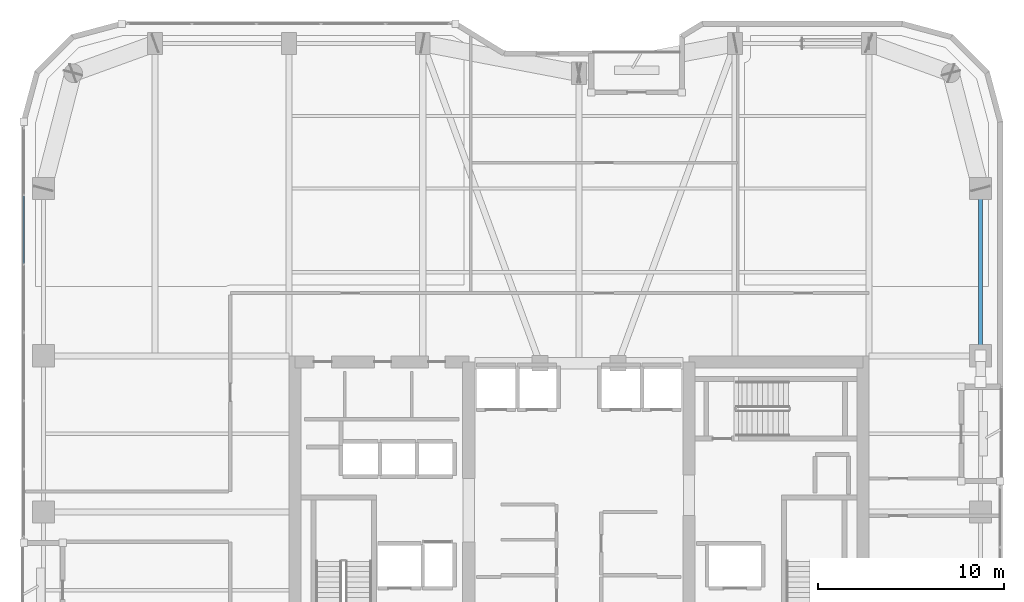
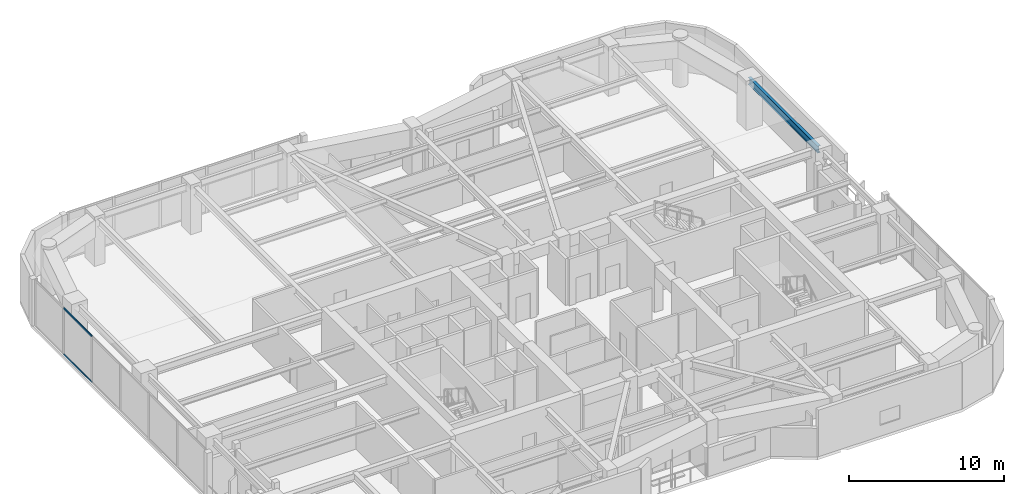
# One storey, part 12 of 30: 2 members, 1 beam, 1 element without a shape of its own.
"""IFC4 building model written with IfcOpenShell, lengths in metres."""

from ifc_helpers import new_model, si_unit, direction, frame, origin, origin_2d, place, context, subcontext, project, spatial, hollow_rectangle, i_section, extrude, material, layer, layer_set, material_profile, profile_set, type_object, element, aggregate, save


model = new_model("IFC4")

# Units and contexts
model_context = context("Model", 3, precision=1e-05, world=origin(), true_north=direction((0.0, 1.0)))
body_context = subcontext(model_context, "Body", "Model", "MODEL_VIEW")
ifc_project = project(units=[si_unit("LENGTHUNIT", "METRE"), si_unit("AREAUNIT", "SQUARE_METRE"), si_unit("VOLUMEUNIT", "CUBIC_METRE"), si_unit("PLANEANGLEUNIT", "RADIAN"), si_unit("MASSUNIT", "GRAM", prefix="KILO")], contexts=[model_context])

# Site, building, storey
site_placement = place(None, origin())
site = spatial("IfcSite", under=ifc_project, at=site_placement, CompositionType="ELEMENT")
building_placement = place(site_placement, origin())
building = spatial("IfcBuilding", under=site, at=building_placement, Name="Kiyonajd Concourse Tower", CompositionType="ELEMENT")
storey_placement = place(building_placement, frame((0.0, 0.0, 190.199951171875)))
storey = spatial("IfcBuildingStorey", under=building, at=storey_placement, Name="L48", CompositionType="ELEMENT", Elevation=190.199951171875)

# Beam
ifc_material_1 = material(Name="Steel ASTM A992 Grade 50", Category="steel")
ifc_material_profile_1 = material_profile(ifc_material_1, i_section(OverallWidth=0.214111328125, OverallDepth=0.549072265625, WebThickness=0.0146484375, FlangeThickness=0.023681640625, at=origin_2d()), Name="W530X138")
ifc_profile_set_1 = profile_set([ifc_material_profile_1], Name="Steel ASTM A992 Grade 50")
beam_type = type_object("IfcBeamType", Name="BM-SPAN-530A", PredefinedType="SPANDREL", material=ifc_profile_set_1)
beam_placement = place(storey_placement, frame((69.60009765625, 44.39990234375, 3.405517578125), z_axis=(0.0, 1.0, 0.0), x_axis=(-1.0, 0.0, 0.0)))
element("IfcBeam", 1, at=beam_placement, inside=storey, type_object=beam_type, Name="L48 Perimeter Bundled Tube Spandrel", PredefinedType="SPANDREL", context=body_context, shape_type="SweptSolid", body=[
    extrude(i_section(OverallWidth=0.214111328125, OverallDepth=0.549072265625, WebThickness=0.0146484375, FlangeThickness=0.023681640625, at=origin_2d()), origin(), (0.0, 0.0, 1.0), 9.0),
])

# Curtain wall, members
ifc_material_2 = material(Name="Thermally Broken Anodised Aluminium", Category="aluminium")
ifc_layer = layer(ifc_material_2, 0.179931640625)
ifc_layer_set = layer_set([ifc_layer], Name="Thermally Broken Anodised Aluminium")
curtain_wall_type = type_object("IfcCurtainWallType", Name="CW-SYS-03", PredefinedType="NOTDEFINED", material=ifc_layer_set)
curtain_wall_placement = place(storey_placement, origin())
curtain_wall = element("IfcCurtainWall", 2, at=curtain_wall_placement, inside=storey, type_object=curtain_wall_type, Name="L48 Unitised Curtain Wall CW3", PredefinedType="NOTDEFINED")
ifc_material_profile_2 = material_profile(ifc_material_2, hollow_rectangle(XDim=0.06494140625, YDim=0.139892578125, WallThickness=0.00390625, at=origin_2d()), Name="TRAN-65x140")
ifc_profile_set_2 = profile_set([ifc_material_profile_2], Name="Thermally Broken Anodised Aluminium")
member_type = type_object("IfcMemberType", Name="MB-CW-TRAN1", PredefinedType="USERDEFINED", material=ifc_profile_set_2)
member_1_placement = place(storey_placement, frame((18.139892578125, 49.3701171875, 0.032470703125), z_axis=(0.0, 1.0, 0.0), x_axis=(-1.0, 0.0, 0.0)))
member_1 = element("IfcMember", 3, at=member_1_placement, type_object=member_type, Name="CW3 transom 5.1", ObjectType="TRANSOM", PredefinedType="USERDEFINED", context=body_context, shape_type="SweptSolid", body=[
    extrude(hollow_rectangle(XDim=0.06494140625, YDim=0.139892578125, WallThickness=0.00390625, at=origin_2d()), origin(), (0.0, 0.0, 1.0), 3.612060546875),
])
member_2_placement = place(storey_placement, frame((18.139892578125, 49.3701171875, 3.6474609375), z_axis=(0.0, 1.0, 0.0), x_axis=(-1.0, 0.0, 0.0)))
member_2 = element("IfcMember", 4, at=member_2_placement, type_object=member_type, Name="CW3 transom 5.2", ObjectType="TRANSOM", PredefinedType="USERDEFINED", context=body_context, shape_type="SweptSolid", body=[
    extrude(hollow_rectangle(XDim=0.06494140625, YDim=0.139892578125, WallThickness=0.00390625, at=origin_2d()), origin(), (0.0, 0.0, 1.0), 3.612060546875),
])
aggregate(curtain_wall, [member_1, member_2])

save(model, "model.ifc")
